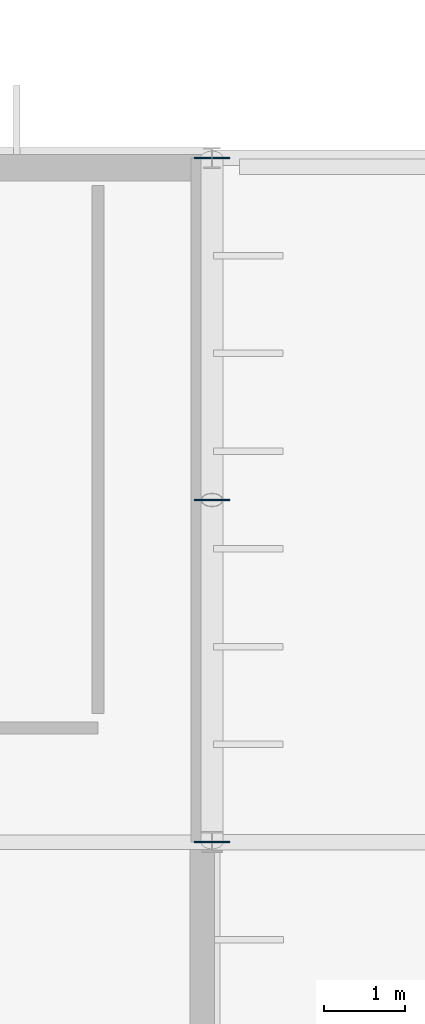
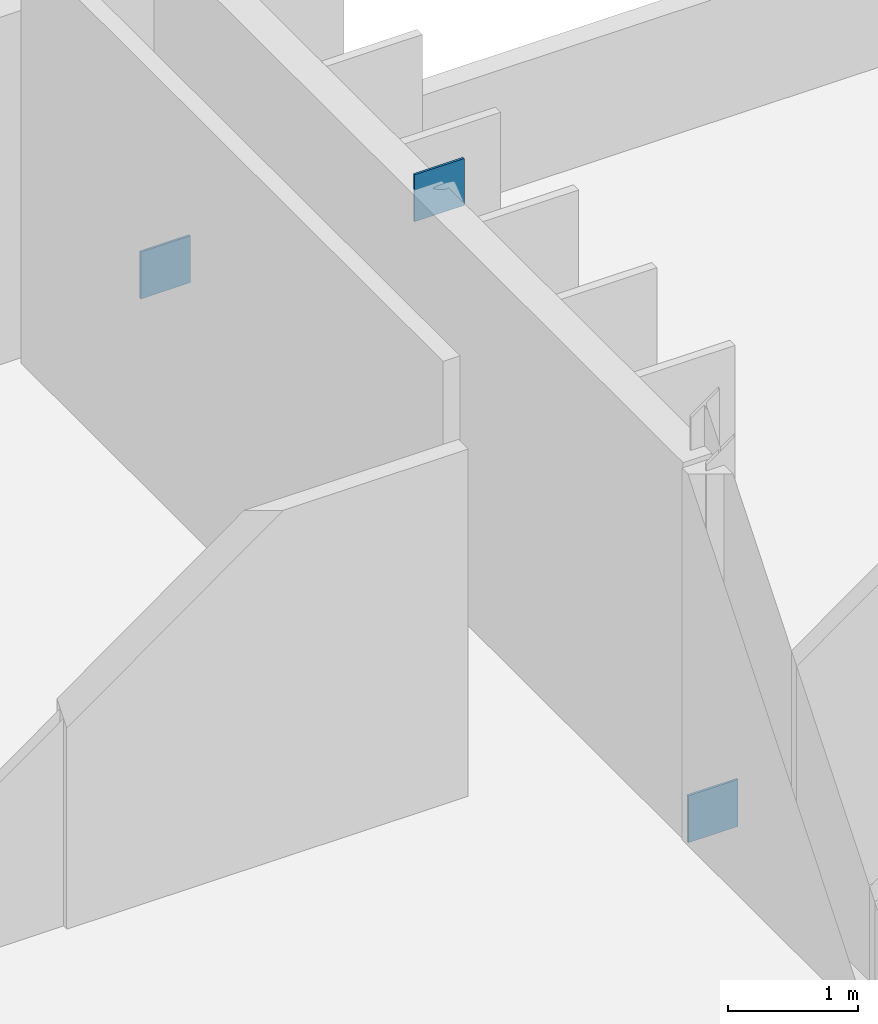
# One storey, part 75 of 99: 3 plates.
"""IFC4 building model written with IfcOpenShell, lengths in metres."""

from ifc_helpers import new_model, si_unit, direction, frame, origin, origin_2d, place, context, subcontext, project, spatial, rectangle, extrude, material, layer, layer_set, type_object, element, save


model = new_model("IFC4")

# Units and contexts
model_context = context("Model", 3, precision=1e-05, world=origin(), true_north=direction((0.0, 1.0)))
body_context = subcontext(model_context, "Body", "Model", "MODEL_VIEW")
ifc_project = project(units=[si_unit("LENGTHUNIT", "METRE"), si_unit("AREAUNIT", "SQUARE_METRE"), si_unit("VOLUMEUNIT", "CUBIC_METRE"), si_unit("PLANEANGLEUNIT", "RADIAN"), si_unit("MASSUNIT", "GRAM", prefix="KILO")], contexts=[model_context])

# Site, building, storey
site_placement = place(None, origin())
site = spatial("IfcSite", under=ifc_project, at=site_placement, CompositionType="ELEMENT")
building_placement = place(site_placement, origin())
building = spatial("IfcBuilding", under=site, at=building_placement, Name="Qelthora Terrace Specialist Clinic", CompositionType="ELEMENT")
storey_placement = place(building_placement, frame((0.0, 0.0, 9.0)))
storey = spatial("IfcBuildingStorey", under=building, at=storey_placement, Name="L02", CompositionType="ELEMENT", Elevation=9.0)

# Plates
ifc_material = material(Name="Steel S355", Category="steel")
ifc_layer = layer(ifc_material, 0.02001953125)
ifc_layer_set = layer_set([ifc_layer], Name="Steel S355")
plate_type = type_object("IfcPlateType", Name="PLT-GUS-480X480X20", PredefinedType="USERDEFINED", material=ifc_layer_set)
for number, where, z_axis, x_axis, name in (
    (1, (151.199951171875, 84.0, -0.0400390625), (0.0, 0.0, 1.0), (1.0, 0.0, 0.0), "Steel truss node plate GPLT-0173"),
    (2, (151.199951171875, 88.199951171875, 3.22998046875), (0.0, 0.0, 1.0), (1.0, 0.0, 0.0), "Steel truss node plate GPLT-0174"),
    (3, (151.199951171875, 92.39990234375, -0.0400390625), (0.0, 0.0, 1.0), (1.0, 0.0, 0.0), "Steel truss node plate GPLT-0175"),
):
    element("IfcPlate", number, at=place(storey_placement, frame(where, z_axis=z_axis, x_axis=x_axis)), inside=storey, type_object=plate_type, Name=name, ObjectType="GUSSET PLATE", PredefinedType="USERDEFINED", context=body_context, shape_type="SweptSolid", body=[
        extrude(rectangle(XDim=0.43994140625, YDim=0.02001953125, at=origin_2d()), origin(), (0.0, 0.0, 1.0), 0.43994140625),
    ])

save(model, "model.ifc")
